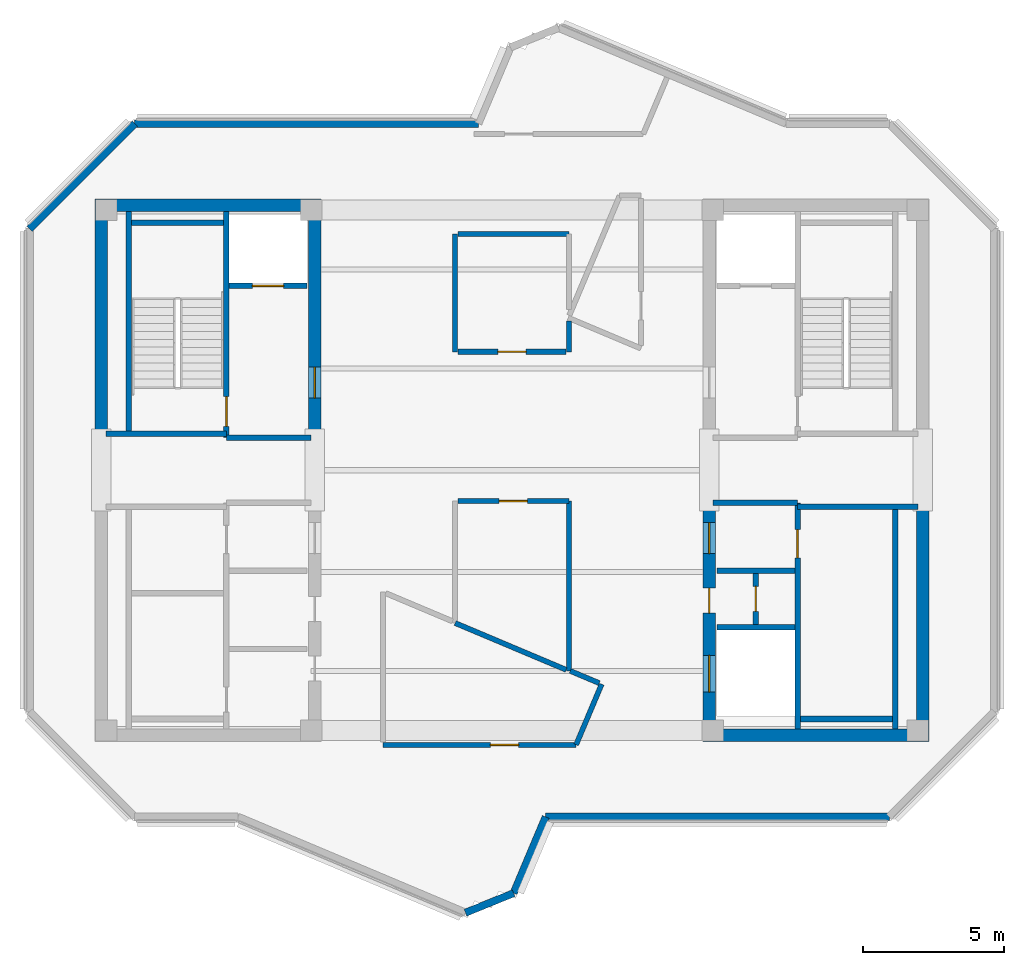
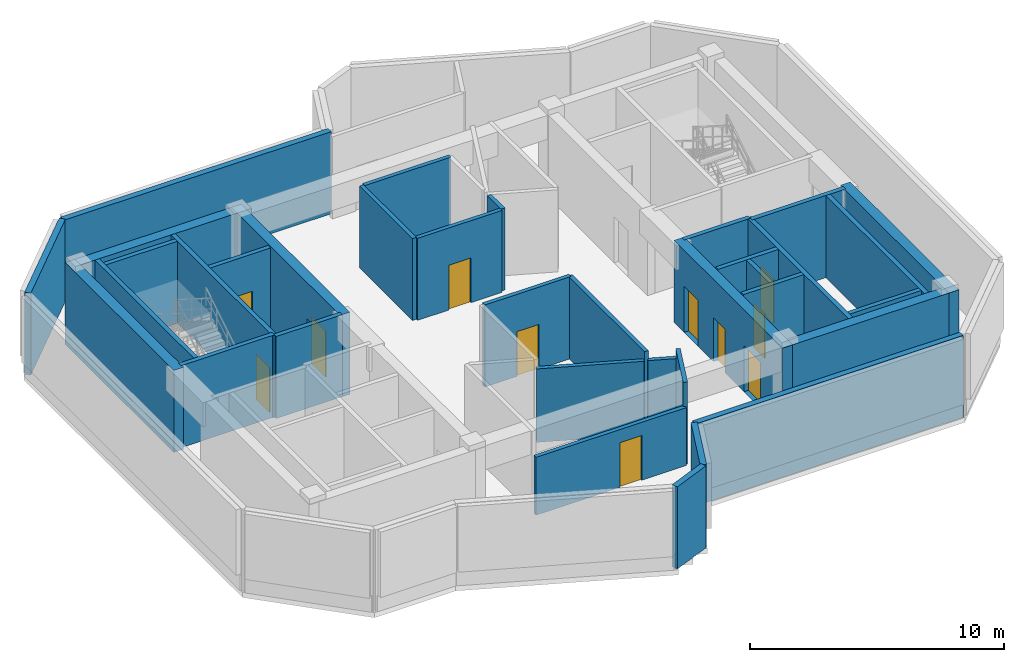
# One storey, part 2 of 5: 35 walls, 11 doors, 11 openings.
"""IFC4 building model written with IfcOpenShell, lengths in metres."""

from ifc_helpers import new_model, si_unit, direction, frame, frame_2d, origin, place, context, subcontext, project, spatial, rectangle, extrude, source, transform, mapped, material, layer, layer_set, type_object, element, fill, save


model = new_model("IFC4")

# Units and contexts
model_context = context("Model", 3, precision=1e-05, world=origin(), true_north=direction((0.0, 1.0)))
body_context = subcontext(model_context, "Body", "Model", "MODEL_VIEW")
ifc_project = project(units=[si_unit("LENGTHUNIT", "METRE"), si_unit("AREAUNIT", "SQUARE_METRE"), si_unit("VOLUMEUNIT", "CUBIC_METRE"), si_unit("PLANEANGLEUNIT", "RADIAN"), si_unit("MASSUNIT", "GRAM", prefix="KILO")], contexts=[model_context])

# Site, building, storey
site_placement = place(None, origin())
site = spatial("IfcSite", under=ifc_project, at=site_placement, CompositionType="ELEMENT")
building_placement = place(site_placement, origin())
building = spatial("IfcBuilding", under=site, at=building_placement, Name="Zahravan Cultural Tower", CompositionType="ELEMENT")
storey_placement = place(building_placement, frame((0.0, 0.0, 383.85009765625)))
storey = spatial("IfcBuildingStorey", under=building, at=storey_placement, Name="L93", CompositionType="ELEMENT", Elevation=383.85009765625)

# Wall, opening, door
ifc_material_1 = material(Name="Concrete C50/60", Category="concrete")
ifc_layer_1 = layer(ifc_material_1, 0.449951171875)
ifc_layer_set_1 = layer_set([ifc_layer_1], Name="Concrete C50/60")
wall_type_1 = type_object("IfcWallType", Name="CW-SHEAR-450-C50", PredefinedType="SHEAR", material=ifc_layer_set_1)
wall_1_placement = place(storey_placement, frame((29.02490234375, 28.050048828125, 0.0), z_axis=(0.0, 0.0, 1.0), x_axis=(0.0, 1.0, 0.0)))
wall_1 = element("IfcWall", 1, at=wall_1_placement, inside=storey, type_object=wall_type_1, Name="L93 Core Shear Wall CW-W-EN-L93", PredefinedType="SHEAR", context=body_context, shape_type="SweptSolid", body=[
    extrude(rectangle(XDim=8.550048828125, YDim=0.449951171875, at=frame_2d((4.27490234375, 0.0))), origin(), (0.0, 0.0, 1.0), 3.93994140625),
])
opening_1_placement = place(wall_1_placement, frame((1.5, 0.0, 0.0)))
opening_1 = element("IfcOpeningElement", 2, at=opening_1_placement, cuts=wall_1, Name="Opening D-L93-06", PredefinedType="OPENING", context=body_context, shape_type="SweptSolid", body=[
    extrude(rectangle(XDim=1.10009765625, YDim=2.199951171875, at=frame_2d((0.550048828125, 1.10009765625))), frame((0.0, 0.23486328125, 0.0), z_axis=(0.0, -1.0, 0.0), x_axis=(1.0, 0.0, 0.0)), (0.0, 0.0, 1.0), 0.469970703125),
])
ifc_material_2 = material(Name="Steel ASTM A572 Grade 50", Category="steel")
door_type_1 = type_object("IfcDoorType", Name="DR-LOBBY-1100", OperationType="NOTDEFINED", PredefinedType="DOOR", material=ifc_material_2)
shared_shape_1 = source(origin(), body_context, "Body", "SweptSolid", [
    extrude(rectangle(XDim=1.10009765625, YDim=2.199951171875, at=frame_2d((0.550048828125, 1.10009765625))), frame((0.0, 0.02490234375, 0.0), z_axis=(0.0, -1.0, 0.0), x_axis=(1.0, 0.0, 0.0)), (0.0, 0.0, 1.0), 0.050048828125),
])
door_1_placement = place(opening_1_placement, origin())
door_1 = element("IfcDoor", 3, at=door_1_placement, inside=storey, type_object=door_type_1, Name="L93 Door D-L93-06", OperationType="SINGLE_SWING_RIGHT", OverallHeight=2.199951171875, OverallWidth=1.10009765625, PredefinedType="DOOR", context=body_context, shape_type="MappedRepresentation", body=[
    mapped(shared_shape_1, transform((0.0, 0.0, 0.0), x_axis=(1.0, 0.0, 0.0), y_axis=(0.0, 1.0, 0.0), z_axis=(0.0, 0.0, 1.0), scale=1.0)),
])
fill(opening_1, door_1)

# Wall, openings, doors
wall_2_placement = place(storey_placement, frame((42.97509765625, 17.39990234375, 0.0), z_axis=(0.0, 0.0, 1.0), x_axis=(0.0, 1.0, 0.0)))
wall_2 = element("IfcWall", 4, at=wall_2_placement, inside=storey, type_object=wall_type_1, Name="L93 Core Shear Wall CW-E-WS-L93", PredefinedType="SHEAR", context=body_context, shape_type="SweptSolid", body=[
    extrude(rectangle(XDim=8.550048828125, YDim=0.449951171875, at=frame_2d((4.27490234375, 0.0))), origin(), (0.0, 0.0, 1.0), 3.93994140625),
])
opening_2_placement = place(wall_2_placement, frame((6.64990234375, 0.0, 0.0)))
opening_2 = element("IfcOpeningElement", 5, at=opening_2_placement, cuts=wall_2, Name="Opening D-L93-09", PredefinedType="OPENING", context=body_context, shape_type="SweptSolid", body=[
    extrude(rectangle(XDim=1.10009765625, YDim=2.199951171875, at=frame_2d((0.550048828125, 1.10009765625))), frame((0.0, 0.23486328125, 0.0), z_axis=(0.0, -1.0, 0.0), x_axis=(1.0, 0.0, 0.0)), (0.0, 0.0, 1.0), 0.469970703125),
])
opening_3_placement = place(wall_2_placement, frame((1.75, 0.0, 0.0)))
opening_3 = element("IfcOpeningElement", 6, at=opening_3_placement, cuts=wall_2, Name="Opening LD-L93-03", PredefinedType="OPENING", context=body_context, shape_type="SweptSolid", body=[
    extrude(rectangle(XDim=1.300048828125, YDim=2.199951171875, at=frame_2d((0.64990234375, 1.10009765625))), frame((0.0, 0.23486328125, 0.0), z_axis=(0.0, -1.0, 0.0), x_axis=(1.0, 0.0, 0.0)), (0.0, 0.0, 1.0), 0.469970703125),
])
opening_4_placement = place(wall_2_placement, frame((4.550048828125, 0.0, 0.0)))
opening_4 = element("IfcOpeningElement", 7, at=opening_4_placement, cuts=wall_2, Name="Opening D-L93-12", PredefinedType="OPENING", context=body_context, shape_type="SweptSolid", body=[
    extrude(rectangle(XDim=0.8798828125, YDim=2.10009765625, at=frame_2d((0.43994140625, 1.050048828125))), frame((0.0, 0.23486328125, 0.0), z_axis=(0.0, -1.0, 0.0), x_axis=(1.0, 0.0, 0.0)), (0.0, 0.0, 1.0), 0.469970703125),
])
door_2_placement = place(opening_2_placement, origin())
door_2 = element("IfcDoor", 8, at=door_2_placement, inside=storey, type_object=door_type_1, Name="L93 Door D-L93-09", OperationType="SINGLE_SWING_LEFT", OverallHeight=2.199951171875, OverallWidth=1.10009765625, PredefinedType="DOOR", context=body_context, shape_type="MappedRepresentation", body=[
    mapped(shared_shape_1, transform((0.0, 0.0, 0.0), x_axis=(1.0, 0.0, 0.0), y_axis=(0.0, 1.0, 0.0), z_axis=(0.0, 0.0, 1.0), scale=1.0)),
])
fill(opening_2, door_2)
door_type_2 = type_object("IfcDoorType", Name="DR-LIFT-1300", OperationType="DOUBLE_DOOR_SLIDING", PredefinedType="DOOR", material=ifc_material_2)
shared_shape_2 = source(origin(), body_context, "Body", "SweptSolid", [
    extrude(rectangle(XDim=1.300048828125, YDim=2.199951171875, at=frame_2d((0.64990234375, 1.10009765625))), frame((0.0, 0.02490234375, 0.0), z_axis=(0.0, -1.0, 0.0), x_axis=(1.0, 0.0, 0.0)), (0.0, 0.0, 1.0), 0.050048828125),
])
door_3_placement = place(opening_3_placement, origin())
door_3 = element("IfcDoor", 9, at=door_3_placement, inside=storey, type_object=door_type_2, Name="L93 Door LD-L93-03", OperationType="DOUBLE_DOOR_SLIDING", OverallHeight=2.199951171875, OverallWidth=1.300048828125, PredefinedType="DOOR", context=body_context, shape_type="MappedRepresentation", body=[
    mapped(shared_shape_2, transform((0.0, 0.0, 0.0), x_axis=(1.0, 0.0, 0.0), y_axis=(0.0, 1.0, 0.0), z_axis=(0.0, 0.0, 1.0), scale=1.0)),
])
fill(opening_3, door_3)
door_type_3 = type_object("IfcDoorType", Name="DR-SVC-880", OperationType="NOTDEFINED", PredefinedType="DOOR", material=ifc_material_2)
shared_shape_3 = source(origin(), body_context, "Body", "SweptSolid", [
    extrude(rectangle(XDim=0.8798828125, YDim=2.10009765625, at=frame_2d((0.43994140625, 1.050048828125))), frame((0.0, 0.02490234375, 0.0), z_axis=(0.0, -1.0, 0.0), x_axis=(1.0, 0.0, 0.0)), (0.0, 0.0, 1.0), 0.050048828125),
])
door_4_placement = place(opening_4_placement, origin())
door_4 = element("IfcDoor", 10, at=door_4_placement, inside=storey, type_object=door_type_3, Name="L93 Door D-L93-12", OperationType="SINGLE_SWING_RIGHT", OverallHeight=2.10009765625, OverallWidth=0.8798828125, PredefinedType="DOOR", context=body_context, shape_type="MappedRepresentation", body=[
    mapped(shared_shape_3, transform((0.0, 0.0, 0.0), x_axis=(1.0, 0.0, 0.0), y_axis=(0.0, 1.0, 0.0), z_axis=(0.0, 0.0, 1.0), scale=1.0)),
])
fill(opening_4, door_4)

# Wall, opening, door
ifc_material_3 = material(Name="Gypsum plasterboard partition")
ifc_layer_2 = layer(ifc_material_3, 0.179931640625)
ifc_layer_set_2 = layer_set([ifc_layer_2], Name="Gypsum plasterboard partition")
wall_type_2 = type_object("IfcWallType", Name="W-COMP-180", PredefinedType="PARTITIONING", material=ifc_layer_set_2)
wall_3_placement = place(storey_placement, frame((44.6201171875, 21.550048828125, 0.0), z_axis=(0.0, 0.0, 1.0), x_axis=(0.0, 1.0, 0.0)))
wall_3 = element("IfcWall", 11, at=wall_3_placement, inside=storey, type_object=wall_type_2, Name="L93 Interior Wall 028", PredefinedType="PARTITIONING", context=body_context, shape_type="SweptSolid", body=[
    extrude(rectangle(XDim=1.800048828125, YDim=0.179931640625, at=frame_2d((0.89990234375, 0.0))), origin(), (0.0, 0.0, 1.0), 3.93994140625),
])
opening_5_placement = place(wall_3_placement, frame((0.4599609375, 0.0, 0.0)))
opening_5 = element("IfcOpeningElement", 12, at=opening_5_placement, cuts=wall_3, Name="Opening D-L93-13", PredefinedType="OPENING", context=body_context, shape_type="SweptSolid", body=[
    extrude(rectangle(XDim=0.8798828125, YDim=2.10009765625, at=frame_2d((0.43994140625, 1.050048828125))), frame((0.0, 0.099853515625, 0.0), z_axis=(0.0, -1.0, 0.0), x_axis=(1.0, 0.0, 0.0)), (0.0, 0.0, 1.0), 0.199951171875),
])
door_5_placement = place(opening_5_placement, origin())
door_5 = element("IfcDoor", 13, at=door_5_placement, inside=storey, type_object=door_type_3, Name="L93 Door D-L93-13", OperationType="SINGLE_SWING_LEFT", OverallHeight=2.10009765625, OverallWidth=0.8798828125, PredefinedType="DOOR", context=body_context, shape_type="MappedRepresentation", body=[
    mapped(shared_shape_3, transform((0.0, 0.0, 0.0), x_axis=(1.0, 0.0, 0.0), y_axis=(0.0, 1.0, 0.0), z_axis=(0.0, 0.0, 1.0), scale=1.0)),
])
fill(opening_5, door_5)

wall_4_placement = place(storey_placement, frame((37.9150390625, 31.18994140625, 0.0), z_axis=(0.0, 0.0, 1.0), x_axis=(-1.0, 0.0, 0.0)))
wall_4 = element("IfcWall", 14, at=wall_4_placement, inside=storey, type_object=wall_type_2, Name="L93 Interior Wall 037", PredefinedType="PARTITIONING", context=body_context, shape_type="SweptSolid", body=[
    extrude(rectangle(XDim=3.830078125, YDim=0.179931640625, at=frame_2d((1.9150390625, 0.0))), origin(), (0.0, 0.0, 1.0), 3.93994140625),
])
opening_6_placement = place(wall_4_placement, frame((1.4150390625, 0.0, 0.0)))
opening_6 = element("IfcOpeningElement", 15, at=opening_6_placement, cuts=wall_4, Name="Opening D-L93-14", PredefinedType="OPENING", context=body_context, shape_type="SweptSolid", body=[
    extrude(rectangle(XDim=1.0, YDim=2.14990234375, at=frame_2d((0.5, 1.074951171875))), frame((0.0, 0.099853515625, 0.0), z_axis=(0.0, -1.0, 0.0), x_axis=(1.0, 0.0, 0.0)), (0.0, 0.0, 1.0), 0.199951171875),
])
door_type_4 = type_object("IfcDoorType", Name="DR-COMP-1000", OperationType="NOTDEFINED", PredefinedType="DOOR", material=ifc_material_2)
shared_shape_4 = source(origin(), body_context, "Body", "SweptSolid", [
    extrude(rectangle(XDim=1.0, YDim=2.14990234375, at=frame_2d((0.5, 1.074951171875))), frame((0.0, 0.02490234375, 0.0), z_axis=(0.0, -1.0, 0.0), x_axis=(1.0, 0.0, 0.0)), (0.0, 0.0, 1.0), 0.050048828125),
])
door_6_placement = place(opening_6_placement, origin())
door_6 = element("IfcDoor", 16, at=door_6_placement, inside=storey, type_object=door_type_4, Name="L93 Door D-L93-14", OperationType="SINGLE_SWING_RIGHT", OverallHeight=2.14990234375, OverallWidth=1.0, PredefinedType="DOOR", context=body_context, shape_type="MappedRepresentation", body=[
    mapped(shared_shape_4, transform((0.0, 0.0, 0.0), x_axis=(1.0, 0.0, 0.0), y_axis=(0.0, 1.0, 0.0), z_axis=(0.0, 0.0, 1.0), scale=1.0)),
])
fill(opening_6, door_6)

wall_5_placement = place(storey_placement, frame((34.0849609375, 25.909912109375, 0.0), z_axis=(0.0, 0.0, 1.0), x_axis=(1.0, 0.0, 0.0)))
wall_5 = element("IfcWall", 17, at=wall_5_placement, inside=storey, type_object=wall_type_2, Name="L93 Interior Wall 041", PredefinedType="PARTITIONING", context=body_context, shape_type="SweptSolid", body=[
    extrude(rectangle(XDim=3.925048828125, YDim=0.179931640625, at=frame_2d((1.96240234375, 0.0))), origin(), (0.0, 0.0, 1.0), 3.93994140625),
])
opening_7_placement = place(wall_5_placement, frame((1.46240234375, 0.0, 0.0)))
opening_7 = element("IfcOpeningElement", 18, at=opening_7_placement, cuts=wall_5, Name="Opening D-L93-18", PredefinedType="OPENING", context=body_context, shape_type="SweptSolid", body=[
    extrude(rectangle(XDim=1.0, YDim=2.14990234375, at=frame_2d((0.5, 1.074951171875))), frame((0.0, 0.099853515625, 0.0), z_axis=(0.0, -1.0, 0.0), x_axis=(1.0, 0.0, 0.0)), (0.0, 0.0, 1.0), 0.199951171875),
])
door_7_placement = place(opening_7_placement, origin())
door_7 = element("IfcDoor", 19, at=door_7_placement, inside=storey, type_object=door_type_4, Name="L93 Door D-L93-18", OperationType="SINGLE_SWING_RIGHT", OverallHeight=2.14990234375, OverallWidth=1.0, PredefinedType="DOOR", context=body_context, shape_type="MappedRepresentation", body=[
    mapped(shared_shape_4, transform((0.0, 0.0, 0.0), x_axis=(1.0, 0.0, 0.0), y_axis=(0.0, 1.0, 0.0), z_axis=(0.0, 0.0, 1.0), scale=1.0)),
])
fill(opening_7, door_7)

wall_6_placement = place(storey_placement, frame((38.267333984375, 17.2900390625, 0.0), z_axis=(0.0, 0.0, 1.0), x_axis=(-1.0, 0.0, 0.0)))
wall_6 = element("IfcWall", 20, at=wall_6_placement, inside=storey, type_object=wall_type_2, Name="L93 Interior Wall 045", PredefinedType="PARTITIONING", context=body_context, shape_type="SweptSolid", body=[
    extrude(rectangle(XDim=6.827392578125, YDim=0.179931640625, at=frame_2d((3.41357421875, 0.0))), origin(), (0.0, 0.0, 1.0), 2.781982421875),
])
opening_8_placement = place(wall_6_placement, frame((2.031982421875, 0.0, 0.0)))
opening_8 = element("IfcOpeningElement", 21, at=opening_8_placement, cuts=wall_6, Name="Opening D-L93-17", PredefinedType="OPENING", context=body_context, shape_type="SweptSolid", body=[
    extrude(rectangle(XDim=1.0, YDim=2.14990234375, at=frame_2d((0.5, 1.074951171875))), frame((0.0, 0.099853515625, 0.0), z_axis=(0.0, -1.0, 0.0), x_axis=(1.0, 0.0, 0.0)), (0.0, 0.0, 1.0), 0.199951171875),
])
door_8_placement = place(opening_8_placement, origin())
door_8 = element("IfcDoor", 22, at=door_8_placement, inside=storey, type_object=door_type_4, Name="L93 Door D-L93-17", OperationType="SINGLE_SWING_LEFT", OverallHeight=2.14990234375, OverallWidth=1.0, PredefinedType="DOOR", context=body_context, shape_type="MappedRepresentation", body=[
    mapped(shared_shape_4, transform((0.0, 0.0, 0.0), x_axis=(1.0, 0.0, 0.0), y_axis=(0.0, 1.0, 0.0), z_axis=(0.0, 0.0, 1.0), scale=1.0)),
])
fill(opening_8, door_8)

ifc_material_4 = material(Name="Concrete C45/55", Category="concrete")
ifc_layer_3 = layer(ifc_material_4, 0.199951171875)
ifc_layer_set_3 = layer_set([ifc_layer_3], Name="Concrete C45/55")
wall_type_3 = type_object("IfcWallType", Name="W-SHAFT-200", PredefinedType="SOLIDWALL", material=ifc_layer_set_3)
wall_7_placement = place(storey_placement, frame((25.89990234375, 28.14990234375, 0.0), z_axis=(0.0, 0.0, 1.0), x_axis=(0.0, 1.0, 0.0)))
wall_7 = element("IfcWall", 23, at=wall_7_placement, inside=storey, type_object=wall_type_3, Name="L93 Interior Wall 006", PredefinedType="SOLIDWALL", context=body_context, shape_type="SweptSolid", body=[
    extrude(rectangle(XDim=8.0, YDim=0.199951171875, at=frame_2d((4.0, 0.0))), origin(), (0.0, 0.0, 1.0), 3.93994140625),
])
opening_9_placement = place(wall_7_placement, frame((0.39990234375, 0.0, 0.0)))
opening_9 = element("IfcOpeningElement", 24, at=opening_9_placement, cuts=wall_7, Name="Opening D-L93-01", PredefinedType="OPENING", context=body_context, shape_type="SweptSolid", body=[
    extrude(rectangle(XDim=1.050048828125, YDim=2.14990234375, at=frame_2d((0.52490234375, 1.074951171875))), frame((0.0, 0.10986328125, 0.0), z_axis=(0.0, -1.0, 0.0), x_axis=(1.0, 0.0, 0.0)), (0.0, 0.0, 1.0), 0.219970703125),
])
door_type_5 = type_object("IfcDoorType", Name="DR-STAIR-1050", OperationType="NOTDEFINED", PredefinedType="DOOR", material=ifc_material_2)
shared_shape_5 = source(origin(), body_context, "Body", "SweptSolid", [
    extrude(rectangle(XDim=1.050048828125, YDim=2.14990234375, at=frame_2d((0.52490234375, 1.074951171875))), frame((0.0, 0.02490234375, 0.0), z_axis=(0.0, -1.0, 0.0), x_axis=(1.0, 0.0, 0.0)), (0.0, 0.0, 1.0), 0.050048828125),
])
door_9_placement = place(opening_9_placement, origin())
door_9 = element("IfcDoor", 25, at=door_9_placement, inside=storey, type_object=door_type_5, Name="L93 Door D-L93-01", OperationType="SINGLE_SWING_LEFT", OverallHeight=2.14990234375, OverallWidth=1.050048828125, PredefinedType="DOOR", context=body_context, shape_type="MappedRepresentation", body=[
    mapped(shared_shape_5, transform((0.0, 0.0, 0.0), x_axis=(1.0, 0.0, 0.0), y_axis=(0.0, 1.0, 0.0), z_axis=(0.0, 0.0, 1.0), scale=1.0)),
])
fill(opening_9, door_9)

wall_8_placement = place(storey_placement, frame((46.10009765625, 17.85009765625, 0.0), z_axis=(0.0, 0.0, 1.0), x_axis=(0.0, 1.0, 0.0)))
wall_8 = element("IfcWall", 26, at=wall_8_placement, inside=storey, type_object=wall_type_3, Name="L93 Interior Wall 007", PredefinedType="SOLIDWALL", context=body_context, shape_type="SweptSolid", body=[
    extrude(rectangle(XDim=8.0, YDim=0.199951171875, at=frame_2d((4.0, 0.0))), origin(), (0.0, 0.0, 1.0), 3.93994140625),
])
opening_10_placement = place(wall_8_placement, frame((6.050048828125, 0.0, 0.0)))
opening_10 = element("IfcOpeningElement", 27, at=opening_10_placement, cuts=wall_8, Name="Opening D-L93-03", PredefinedType="OPENING", context=body_context, shape_type="SweptSolid", body=[
    extrude(rectangle(XDim=1.0, YDim=2.14990234375, at=frame_2d((0.5, 1.074951171875))), frame((0.0, 0.10986328125, 0.0), z_axis=(0.0, -1.0, 0.0), x_axis=(1.0, 0.0, 0.0)), (0.0, 0.0, 1.0), 0.219970703125),
])
door_10_placement = place(opening_10_placement, origin())
door_10 = element("IfcDoor", 28, at=door_10_placement, inside=storey, type_object=door_type_4, Name="L93 Door D-L93-03", OperationType="SINGLE_SWING_LEFT", OverallHeight=2.14990234375, OverallWidth=1.0, PredefinedType="DOOR", context=body_context, shape_type="MappedRepresentation", body=[
    mapped(shared_shape_4, transform((0.0, 0.0, 0.0), x_axis=(1.0, 0.0, 0.0), y_axis=(0.0, 1.0, 0.0), z_axis=(0.0, 0.0, 1.0), scale=1.0)),
])
fill(opening_10, door_10)

wall_9_placement = place(storey_placement, frame((26.0, 33.52001953125, 0.0), z_axis=(0.0, 0.0, 1.0), x_axis=(1.0, 0.0, 0.0)))
wall_9 = element("IfcWall", 29, at=wall_9_placement, inside=storey, type_object=wall_type_3, Name="L93 Interior Wall 022", PredefinedType="SOLIDWALL", context=body_context, shape_type="SweptSolid", body=[
    extrude(rectangle(XDim=2.75, YDim=0.199951171875, at=frame_2d((1.375, 0.0))), origin(), (0.0, 0.0, 1.0), 3.93994140625),
])
opening_11_placement = place(wall_9_placement, frame((0.820068359375, 0.0, 0.0)))
opening_11 = element("IfcOpeningElement", 30, at=opening_11_placement, cuts=wall_9, Name="Opening LD-L93-01", PredefinedType="OPENING", context=body_context, shape_type="SweptSolid", body=[
    extrude(rectangle(XDim=1.10009765625, YDim=2.14990234375, at=frame_2d((0.550048828125, 1.074951171875))), frame((0.0, 0.10986328125, 0.0), z_axis=(0.0, -1.0, 0.0), x_axis=(1.0, 0.0, 0.0)), (0.0, 0.0, 1.0), 0.219970703125),
])
door_type_6 = type_object("IfcDoorType", Name="DR-LIFT-1100", OperationType="DOUBLE_DOOR_SLIDING", PredefinedType="DOOR", material=ifc_material_2)
shared_shape_6 = source(origin(), body_context, "Body", "SweptSolid", [
    extrude(rectangle(XDim=1.10009765625, YDim=2.14990234375, at=frame_2d((0.550048828125, 1.074951171875))), frame((0.0, 0.02490234375, 0.0), z_axis=(0.0, -1.0, 0.0), x_axis=(1.0, 0.0, 0.0)), (0.0, 0.0, 1.0), 0.050048828125),
])
door_11_placement = place(opening_11_placement, origin())
door_11 = element("IfcDoor", 31, at=door_11_placement, inside=storey, type_object=door_type_6, Name="L93 Door LD-L93-01", OperationType="DOUBLE_DOOR_SLIDING", OverallHeight=2.14990234375, OverallWidth=1.10009765625, PredefinedType="DOOR", context=body_context, shape_type="MappedRepresentation", body=[
    mapped(shared_shape_6, transform((0.0, 0.0, 0.0), x_axis=(1.0, 0.0, 0.0), y_axis=(0.0, 1.0, 0.0), z_axis=(0.0, 0.0, 1.0), scale=1.0)),
])
fill(opening_11, door_11)

# Walls
shared_shape_7 = source(origin(), body_context, "Body", "SweptSolid", [
    extrude(rectangle(XDim=8.550048828125, YDim=0.449951171875, at=frame_2d((4.27490234375, 0.0))), origin(), (0.0, 0.0, 1.0), 3.93994140625),
])
for number, where, z_axis, x_axis, name in (
    (32, (21.47509765625, 28.050048828125, 0.0), (0.0, 0.0, 1.0), (0.0, 1.0, 0.0), "L93 Core Shear Wall CW-W-WN-L93"),
    (33, (50.52490234375, 17.39990234375, 0.0), (0.0, 0.0, 1.0), (0.0, 1.0, 0.0), "L93 Core Shear Wall CW-E-ES-L93"),
):
    element("IfcWall", number, at=place(storey_placement, frame(where, z_axis=z_axis, x_axis=x_axis)), inside=storey, type_object=wall_type_1, Name=name, PredefinedType="SHEAR", context=body_context, shape_type="MappedRepresentation", body=[
        mapped(shared_shape_7, transform((0.0, 0.0, 0.0), x_axis=(1.0, 0.0, 0.0), y_axis=(0.0, 1.0, 0.0), z_axis=(0.0, 0.0, 1.0), scale=1.0)),
    ])
shared_shape_8 = source(origin(), body_context, "Body", "SweptSolid", [
    extrude(rectangle(XDim=7.10009765625, YDim=0.449951171875, at=frame_2d((3.550048828125, 0.0))), origin(), (0.0, 0.0, 1.0), 3.93994140625),
])
for number, where, z_axis, x_axis, name in (
    (34, (21.699951171875, 36.375, 0.0), (0.0, 0.0, 1.0), (1.0, 0.0, 0.0), "L93 Core Shear Wall CW-W-N-L93"),
    (35, (43.199951171875, 17.625, 0.0), (0.0, 0.0, 1.0), (1.0, 0.0, 0.0), "L93 Core Shear Wall CW-E-S-L93"),
):
    element("IfcWall", number, at=place(storey_placement, frame(where, z_axis=z_axis, x_axis=x_axis)), inside=storey, type_object=wall_type_1, Name=name, PredefinedType="SHEAR", context=body_context, shape_type="MappedRepresentation", body=[
        mapped(shared_shape_8, transform((0.0, 0.0, 0.0), x_axis=(1.0, 0.0, 0.0), y_axis=(0.0, 1.0, 0.0), z_axis=(0.0, 0.0, 1.0), scale=1.0)),
    ])
ifc_material_5 = material(Name="Precast concrete C40/50", Category="concrete")
ifc_layer_4 = layer(ifc_material_5, 0.260009765625)
ifc_layer_set_4 = layer_set([ifc_layer_4], Name="Precast concrete C40/50")
wall_type_4 = type_object("IfcWallType", Name="EW-CROWN-260", PredefinedType="SOLIDWALL", material=ifc_layer_set_4)
shared_shape_9 = source(origin(), body_context, "Body", "SweptSolid", [
    extrude(rectangle(XDim=2.92529296875, YDim=0.260009765625, at=frame_2d((1.462646484375, 0.0))), origin(), (0.0, 0.0, 1.0), 3.93994140625),
])
wall_10_placement = place(storey_placement, frame((37.19287109375, 14.739990234375, 0.0), z_axis=(0.0, 0.0, 1.0), x_axis=(-0.388321883953, -0.921523800259, 0.0)))
element("IfcWall", 36, at=wall_10_placement, inside=storey, type_object=wall_type_4, Name="L93 Exterior Masonry Frame Wall 09", PredefinedType="SOLIDWALL", context=body_context, shape_type="MappedRepresentation", body=[
    mapped(shared_shape_9, transform((0.0, 0.0, 0.0), x_axis=(1.0, 0.0, 0.0), y_axis=(0.0, 1.0, 0.0), z_axis=(0.0, 0.0, 1.0), scale=1.0)),
])
shared_shape_10 = source(origin(), body_context, "Body", "SweptSolid", [
    extrude(rectangle(XDim=1.838623046875, YDim=0.260009765625, at=frame_2d((0.91943359375, 0.0))), origin(), (0.0, 0.0, 1.0), 3.93994140625),
])
wall_11_placement = place(storey_placement, frame((36.056884765625, 12.044189453125, 0.0), z_axis=(0.0, 0.0, 1.0), x_axis=(-0.926216039781, -0.376993166586, 0.0)))
element("IfcWall", 37, at=wall_11_placement, inside=storey, type_object=wall_type_4, Name="L93 Exterior Masonry Frame Wall 10", PredefinedType="SOLIDWALL", context=body_context, shape_type="MappedRepresentation", body=[
    mapped(shared_shape_10, transform((0.0, 0.0, 0.0), x_axis=(1.0, 0.0, 0.0), y_axis=(0.0, 1.0, 0.0), z_axis=(0.0, 0.0, 1.0), scale=1.0)),
])
shared_shape_11 = source(origin(), body_context, "Body", "SweptSolid", [
    extrude(rectangle(XDim=5.258056640625, YDim=0.260009765625, at=frame_2d((2.62890625, 0.0))), origin(), (0.0, 0.0, 1.0), 3.93994140625),
])
wall_12_placement = place(storey_placement, frame((18.93994140625, 35.5419921875, 0.0), z_axis=(0.0, 0.0, 1.0), x_axis=(0.707106781187, 0.707106781187, 0.0)))
element("IfcWall", 38, at=wall_12_placement, inside=storey, type_object=wall_type_4, Name="L93 Exterior Masonry Frame Wall 15", PredefinedType="SOLIDWALL", context=body_context, shape_type="MappedRepresentation", body=[
    mapped(shared_shape_11, transform((0.0, 0.0, 0.0), x_axis=(1.0, 0.0, 0.0), y_axis=(0.0, 1.0, 0.0), z_axis=(0.0, 0.0, 1.0), scale=1.0)),
])
shared_shape_12 = source(origin(), body_context, "Body", "SweptSolid", [
    extrude(rectangle(XDim=12.149169921875, YDim=0.260009765625, at=frame_2d((6.07470703125, 0.0))), origin(), (0.0, 0.0, 1.0), 3.93994140625),
])
for number, where, z_axis, x_axis, name in (
    (39, (49.342041015625, 14.739990234375, 0.0), (0.0, 0.0, 1.0), (-1.0, 0.0, 0.0), "L93 Exterior Masonry Frame Wall 08"),
    (40, (22.657958984375, 39.260009765625, 0.0), (0.0, 0.0, 1.0), (1.0, 0.0, 0.0), "L93 Exterior Masonry Frame Wall 16"),
):
    element("IfcWall", number, at=place(storey_placement, frame(where, z_axis=z_axis, x_axis=x_axis)), inside=storey, type_object=wall_type_4, Name=name, PredefinedType="SOLIDWALL", context=body_context, shape_type="MappedRepresentation", body=[
        mapped(shared_shape_12, transform((0.0, 0.0, 0.0), x_axis=(1.0, 0.0, 0.0), y_axis=(0.0, 1.0, 0.0), z_axis=(0.0, 0.0, 1.0), scale=1.0)),
    ])
shared_shape_13 = source(origin(), body_context, "Body", "SweptSolid", [
    extrude(rectangle(XDim=7.869873046875, YDim=0.199951171875, at=frame_2d((3.93505859375, 0.0))), origin(), (0.0, 0.0, 1.0), 3.93994140625),
])
for number, where, z_axis, x_axis, name in (
    (41, (22.449951171875, 28.280029296875, 0.0), (0.0, 0.0, 1.0), (0.0, 1.0, 0.0), "L93 Interior Wall 002"),
    (42, (49.550048828125, 17.85009765625, 0.0), (0.0, 0.0, 1.0), (0.0, 1.0, 0.0), "L93 Interior Wall 003"),
):
    element("IfcWall", number, at=place(storey_placement, frame(where, z_axis=z_axis, x_axis=x_axis)), inside=storey, type_object=wall_type_3, Name=name, PredefinedType="SOLIDWALL", context=body_context, shape_type="MappedRepresentation", body=[
        mapped(shared_shape_13, transform((0.0, 0.0, 0.0), x_axis=(1.0, 0.0, 0.0), y_axis=(0.0, 1.0, 0.0), z_axis=(0.0, 0.0, 1.0), scale=1.0)),
    ])
shared_shape_14 = source(origin(), body_context, "Body", "SweptSolid", [
    extrude(rectangle(XDim=4.25, YDim=0.199951171875, at=frame_2d((2.125, 0.0))), origin(), (0.0, 0.0, 1.0), 3.93994140625),
])
for number, where, z_axis, x_axis, name in (
    (43, (21.64990234375, 28.284912109375, 0.0), (0.0, 0.0, 1.0), (1.0, 0.0, 0.0), "L93 Interior Wall 011"),
    (44, (46.10009765625, 25.715087890625, 0.0), (0.0, 0.0, 1.0), (1.0, 0.0, 0.0), "L93 Interior Wall 014"),
):
    element("IfcWall", number, at=place(storey_placement, frame(where, z_axis=z_axis, x_axis=x_axis)), inside=storey, type_object=wall_type_3, Name=name, PredefinedType="SOLIDWALL", context=body_context, shape_type="MappedRepresentation", body=[
        mapped(shared_shape_14, transform((0.0, 0.0, 0.0), x_axis=(1.0, 0.0, 0.0), y_axis=(0.0, 1.0, 0.0), z_axis=(0.0, 0.0, 1.0), scale=1.0)),
    ])
shared_shape_15 = source(origin(), body_context, "Body", "SweptSolid", [
    extrude(rectangle(XDim=3.0, YDim=0.199951171875, at=frame_2d((1.5, 0.0))), origin(), (0.0, 0.0, 1.0), 3.93994140625),
])
for number, where, z_axis, x_axis, name in (
    (45, (25.89990234375, 28.14990234375, 0.0), (0.0, 0.0, 1.0), (1.0, 0.0, 0.0), "L93 Interior Wall 012"),
    (46, (43.10009765625, 25.85009765625, 0.0), (0.0, 0.0, 1.0), (1.0, 0.0, 0.0), "L93 Interior Wall 013"),
):
    element("IfcWall", number, at=place(storey_placement, frame(where, z_axis=z_axis, x_axis=x_axis)), inside=storey, type_object=wall_type_3, Name=name, PredefinedType="SOLIDWALL", context=body_context, shape_type="MappedRepresentation", body=[
        mapped(shared_shape_15, transform((0.0, 0.0, 0.0), x_axis=(1.0, 0.0, 0.0), y_axis=(0.0, 1.0, 0.0), z_axis=(0.0, 0.0, 1.0), scale=1.0)),
    ])
shared_shape_16 = source(origin(), body_context, "Body", "SweptSolid", [
    extrude(rectangle(XDim=3.25, YDim=0.199951171875, at=frame_2d((1.625, 0.0))), origin(), (0.0, 0.0, 1.0), 3.93994140625),
])
for number, where, z_axis, x_axis, name in (
    (47, (22.550048828125, 35.75, 0.0), (0.0, 0.0, 1.0), (1.0, 0.0, 0.0), "L93 Interior Wall 017"),
    (48, (46.199951171875, 18.199951171875, 0.0), (0.0, 0.0, 1.0), (1.0, 0.0, 0.0), "L93 Interior Wall 020"),
):
    element("IfcWall", number, at=place(storey_placement, frame(where, z_axis=z_axis, x_axis=x_axis)), inside=storey, type_object=wall_type_3, Name=name, PredefinedType="SOLIDWALL", context=body_context, shape_type="MappedRepresentation", body=[
        mapped(shared_shape_16, transform((0.0, 0.0, 0.0), x_axis=(1.0, 0.0, 0.0), y_axis=(0.0, 1.0, 0.0), z_axis=(0.0, 0.0, 1.0), scale=1.0)),
    ])
shared_shape_17 = source(origin(), body_context, "Body", "SweptSolid", [
    extrude(rectangle(XDim=2.75, YDim=0.199951171875, at=frame_2d((1.375, 0.0))), origin(), (0.0, 0.0, 1.0), 3.93994140625),
])
for number, where, z_axis, x_axis, name in (
    (49, (43.25, 23.449951171875, 0.0), (0.0, 0.0, 1.0), (1.0, 0.0, 0.0), "L93 Interior Wall 025"),
    (50, (43.25, 21.449951171875, 0.0), (0.0, 0.0, 1.0), (1.0, 0.0, 0.0), "L93 Interior Wall 026"),
):
    element("IfcWall", number, at=place(storey_placement, frame(where, z_axis=z_axis, x_axis=x_axis)), inside=storey, type_object=wall_type_3, Name=name, PredefinedType="SOLIDWALL", context=body_context, shape_type="MappedRepresentation", body=[
        mapped(shared_shape_17, transform((0.0, 0.0, 0.0), x_axis=(1.0, 0.0, 0.0), y_axis=(0.0, 1.0, 0.0), z_axis=(0.0, 0.0, 1.0), scale=1.0)),
    ])
shared_shape_18 = source(origin(), body_context, "Body", "SweptSolid", [
    extrude(rectangle(XDim=4.170166015625, YDim=0.179931640625, at=frame_2d((2.0849609375, 0.0))), origin(), (0.0, 0.0, 1.0), 3.93994140625),
])
wall_13_placement = place(storey_placement, frame((33.989990234375, 31.18994140625, 0.0), z_axis=(0.0, 0.0, 1.0), x_axis=(0.0, 1.0, 0.0)))
element("IfcWall", 51, at=wall_13_placement, inside=storey, type_object=wall_type_2, Name="L93 Interior Wall 033", PredefinedType="PARTITIONING", context=body_context, shape_type="MappedRepresentation", body=[
    mapped(shared_shape_18, transform((0.0, 0.0, 0.0), x_axis=(1.0, 0.0, 0.0), y_axis=(0.0, 1.0, 0.0), z_axis=(0.0, 0.0, 1.0), scale=1.0)),
])
shared_shape_19 = source(origin(), body_context, "Body", "SweptSolid", [
    extrude(rectangle(XDim=3.925048828125, YDim=0.179931640625, at=frame_2d((1.96240234375, 0.0))), origin(), (0.0, 0.0, 1.0), 3.93994140625),
])
wall_14_placement = place(storey_placement, frame((34.0849609375, 35.360107421875, 0.0), z_axis=(0.0, 0.0, 1.0), x_axis=(1.0, 0.0, 0.0)))
element("IfcWall", 52, at=wall_14_placement, inside=storey, type_object=wall_type_2, Name="L93 Interior Wall 034", PredefinedType="PARTITIONING", context=body_context, shape_type="MappedRepresentation", body=[
    mapped(shared_shape_19, transform((0.0, 0.0, 0.0), x_axis=(1.0, 0.0, 0.0), y_axis=(0.0, 1.0, 0.0), z_axis=(0.0, 0.0, 1.0), scale=1.0)),
])
shared_shape_20 = source(origin(), body_context, "Body", "SweptSolid", [
    extrude(rectangle(XDim=1.0888671875, YDim=0.179931640625, at=frame_2d((0.54443359375, 0.0))), origin(), (0.0, 0.0, 1.0), 3.93994140625),
])
wall_15_placement = place(storey_placement, frame((38.010009765625, 32.27880859375, 0.0), z_axis=(0.0, 0.0, 1.0), x_axis=(0.0, -1.0, 0.0)))
element("IfcWall", 53, at=wall_15_placement, inside=storey, type_object=wall_type_2, Name="L93 Interior Wall 036", PredefinedType="PARTITIONING", context=body_context, shape_type="MappedRepresentation", body=[
    mapped(shared_shape_20, transform((0.0, 0.0, 0.0), x_axis=(1.0, 0.0, 0.0), y_axis=(0.0, 1.0, 0.0), z_axis=(0.0, 0.0, 1.0), scale=1.0)),
])
shared_shape_21 = source(origin(), body_context, "Body", "SweptSolid", [
    extrude(rectangle(XDim=6.00732421875, YDim=0.179931640625, at=frame_2d((3.003662109375, 0.0))), origin(), (0.0, 0.0, 1.0), 3.93994140625),
])
wall_16_placement = place(storey_placement, frame((38.010009765625, 25.909912109375, 0.0), z_axis=(0.0, 0.0, 1.0), x_axis=(0.0, -1.0, 0.0)))
element("IfcWall", 54, at=wall_16_placement, inside=storey, type_object=wall_type_2, Name="L93 Interior Wall 042", PredefinedType="PARTITIONING", context=body_context, shape_type="MappedRepresentation", body=[
    mapped(shared_shape_21, transform((0.0, 0.0, 0.0), x_axis=(1.0, 0.0, 0.0), y_axis=(0.0, 1.0, 0.0), z_axis=(0.0, 0.0, 1.0), scale=1.0)),
])
shared_shape_22 = source(origin(), body_context, "Body", "SweptSolid", [
    extrude(rectangle(XDim=4.25927734375, YDim=0.179931640625, at=frame_2d((2.129638671875, 0.0))), origin(), (0.0, 0.0, 1.0), 3.52587890625),
])
wall_17_placement = place(storey_placement, frame((37.9150390625, 19.9423828125, 0.0), z_axis=(0.0, 0.0, 1.0), x_axis=(-0.921517727691, 0.388336294403, 0.0)))
element("IfcWall", 55, at=wall_17_placement, inside=storey, type_object=wall_type_2, Name="L93 Interior Wall 043", PredefinedType="PARTITIONING", context=body_context, shape_type="MappedRepresentation", body=[
    mapped(shared_shape_22, transform((0.0, 0.0, 0.0), x_axis=(1.0, 0.0, 0.0), y_axis=(0.0, 1.0, 0.0), z_axis=(0.0, 0.0, 1.0), scale=1.0)),
])
shared_shape_23 = source(origin(), body_context, "Body", "SweptSolid", [
    extrude(rectangle(XDim=2.327392578125, YDim=0.179931640625, at=frame_2d((1.16357421875, 0.0))), origin(), (0.0, 0.0, 1.0), 3.93994140625),
])
wall_18_placement = place(storey_placement, frame((39.171142578125, 19.434814453125, 0.0), z_axis=(0.0, 0.0, 1.0), x_axis=(-0.388328975107, -0.921520812078, 0.0)))
element("IfcWall", 56, at=wall_18_placement, inside=storey, type_object=wall_type_2, Name="L93 Interior Wall 044", PredefinedType="PARTITIONING", context=body_context, shape_type="MappedRepresentation", body=[
    mapped(shared_shape_23, transform((0.0, 0.0, 0.0), x_axis=(1.0, 0.0, 0.0), y_axis=(0.0, 1.0, 0.0), z_axis=(0.0, 0.0, 1.0), scale=1.0)),
])
shared_shape_24 = source(origin(), body_context, "Body", "SweptSolid", [
    extrude(rectangle(XDim=1.109375, YDim=0.179931640625, at=frame_2d((0.5546875, 0.0))), origin(), (0.0, 0.0, 1.0), 3.52587890625),
])
wall_19_placement = place(storey_placement, frame((38.0615234375, 19.902587890625, 0.0), z_axis=(0.0, 0.0, 1.0), x_axis=(0.921473730863, -0.388440681866, 0.0)))
element("IfcWall", 57, at=wall_19_placement, inside=storey, type_object=wall_type_2, Name="L93 Interior Wall 048", PredefinedType="PARTITIONING", context=body_context, shape_type="MappedRepresentation", body=[
    mapped(shared_shape_24, transform((0.0, 0.0, 0.0), x_axis=(1.0, 0.0, 0.0), y_axis=(0.0, 1.0, 0.0), z_axis=(0.0, 0.0, 1.0), scale=1.0)),
])

save(model, "model.ifc")
